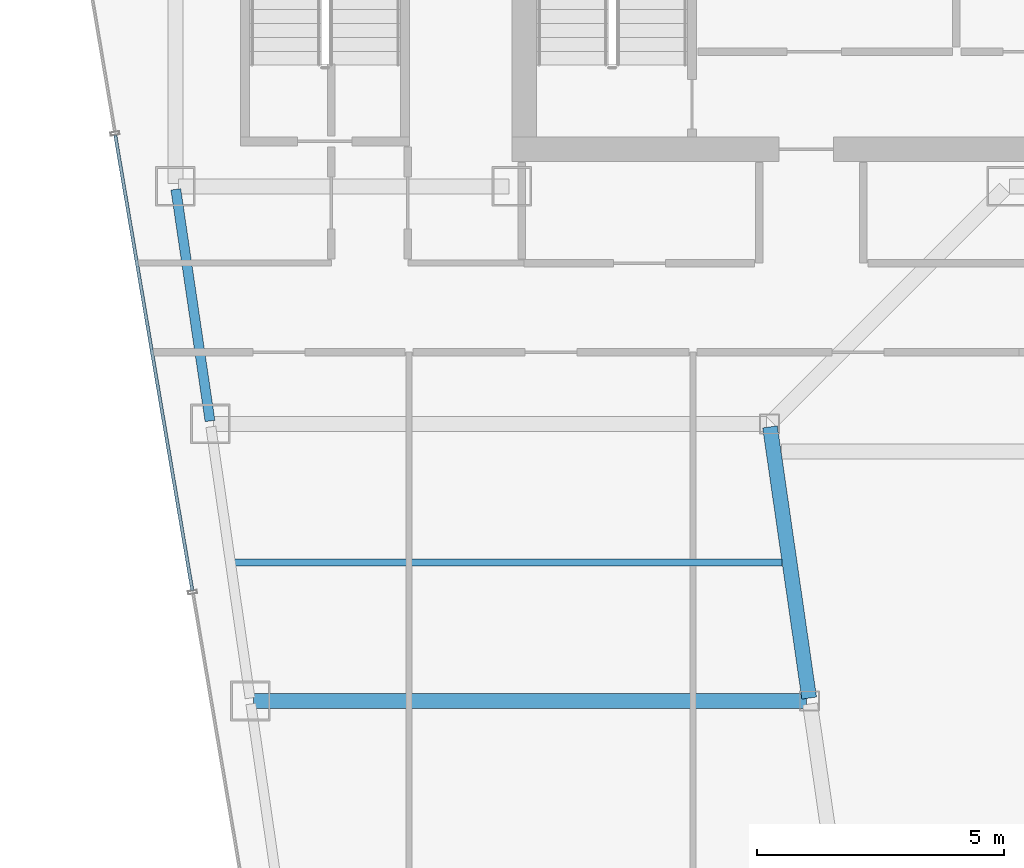
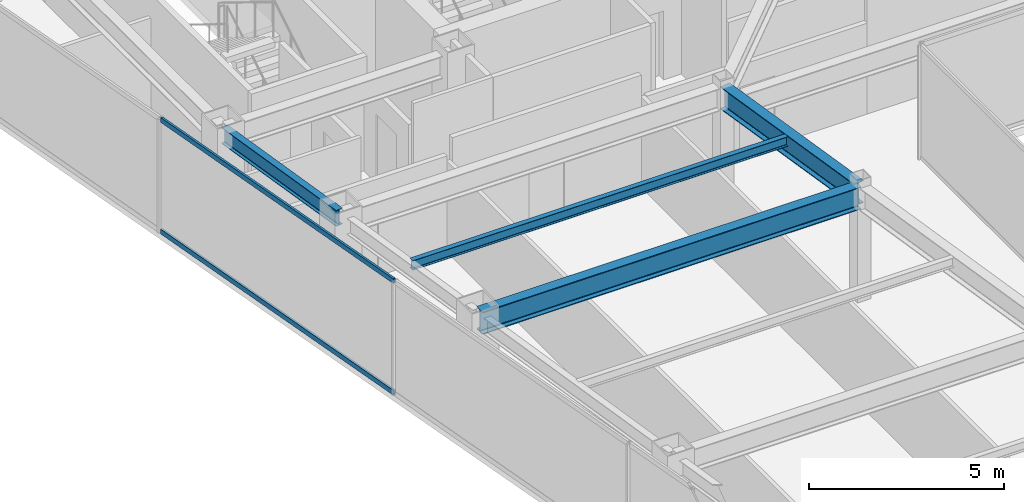
# One storey, part 10 of 36: 4 beams, 2 members, 1 element without a shape of its own.
"""IFC4 building model written with IfcOpenShell, lengths in metres."""

from ifc_helpers import new_model, si_unit, direction, frame, origin, origin_2d, place, context, subcontext, project, spatial, hollow_rectangle, i_section, extrude, material, material_profile, profile_set, type_object, element, aggregate, save


model = new_model("IFC4")

# Units and contexts
model_context = context("Model", 3, precision=1e-05, world=origin(), true_north=direction((0.0, 1.0)))
body_context = subcontext(model_context, "Body", "Model", "MODEL_VIEW")
ifc_project = project(units=[si_unit("LENGTHUNIT", "METRE"), si_unit("AREAUNIT", "SQUARE_METRE"), si_unit("VOLUMEUNIT", "CUBIC_METRE"), si_unit("PLANEANGLEUNIT", "RADIAN"), si_unit("MASSUNIT", "GRAM", prefix="KILO")], contexts=[model_context])

# Site, building, storey
site_placement = place(None, origin())
site = spatial("IfcSite", under=ifc_project, at=site_placement, CompositionType="ELEMENT")
building_placement = place(site_placement, origin())
building = spatial("IfcBuilding", under=site, at=building_placement, Name="Saevonmaru Cultural Tower", CompositionType="ELEMENT")
storey_placement = place(building_placement, frame((0.0, 0.0, 209.39990234375)))
storey = spatial("IfcBuildingStorey", under=building, at=storey_placement, Name="L48", CompositionType="ELEMENT", Elevation=209.39990234375)

# Beams
ifc_material_1 = material(Name="Steel SM355", Category="steel")
ifc_material_profile_1 = material_profile(ifc_material_1, i_section(OverallWidth=0.300048828125, OverallDepth=0.699951171875, WebThickness=0.012939453125, FlangeThickness=0.02392578125, FilletRadius=0.02587890625, at=origin_2d()), Name="H-700x300x13x24")
ifc_profile_set_1 = profile_set([ifc_material_profile_1], Name="Steel SM355")
beam_type_1 = type_object("IfcBeamType", Name="BM-G-H700", PredefinedType="BEAM", material=ifc_profile_set_1)
beam_1_placement = place(storey_placement, frame((19.6083984375, 32.059326171875, 3.2001953125), z_axis=(-0.142964121327, 0.989727871697, 0.0), x_axis=(-0.989727871697, -0.142964121327, 0.0)))
element("IfcBeam", 1, at=beam_1_placement, inside=storey, type_object=beam_type_1, Name="L48 West Atrium Girder 3", PredefinedType="BEAM", context=body_context, shape_type="SweptSolid", body=[
    extrude(i_section(OverallWidth=0.300048828125, OverallDepth=0.699951171875, WebThickness=0.012939453125, FlangeThickness=0.02392578125, FilletRadius=0.02587890625, at=origin_2d()), origin(), (0.0, 0.0, 1.0), 5.5380859375),
])
beam_2_placement = place(storey_placement, frame((8.376953125, 32.0, 3.2001953125), z_axis=(1.0, 0.0, 0.0), x_axis=(0.0, 1.0, 0.0)))
element("IfcBeam", 2, at=beam_2_placement, inside=storey, type_object=beam_type_1, Name="L48 West Wing Transverse Girder 3", PredefinedType="BEAM", context=body_context, shape_type="SweptSolid", body=[
    extrude(i_section(OverallWidth=0.300048828125, OverallDepth=0.699951171875, WebThickness=0.012939453125, FlangeThickness=0.02392578125, FilletRadius=0.02587890625, at=origin_2d()), origin(), (0.0, 0.0, 1.0), 11.179931640625),
])
ifc_material_profile_2 = material_profile(ifc_material_1, i_section(OverallWidth=0.14990234375, OverallDepth=0.300048828125, WebThickness=0.006591796875, FlangeThickness=0.009033203125, FilletRadius=0.012939453125, at=origin_2d()), Name="H-300x150x6.5x9")
ifc_profile_set_2 = profile_set([ifc_material_profile_2], Name="Steel SM355")
beam_type_2 = type_object("IfcBeamType", Name="BM-J-H300", PredefinedType="JOIST", material=ifc_profile_set_2)
beam_3_placement = place(storey_placement, frame((7.972412109375, 34.800048828125, 3.400146484375), z_axis=(1.0, 0.0, 0.0), x_axis=(0.0, 1.0, 0.0)))
element("IfcBeam", 3, at=beam_3_placement, inside=storey, type_object=beam_type_2, Name="L48 West Wing Floor Joist 3", PredefinedType="JOIST", context=body_context, shape_type="SweptSolid", body=[
    extrude(i_section(OverallWidth=0.14990234375, OverallDepth=0.300048828125, WebThickness=0.006591796875, FlangeThickness=0.009033203125, FilletRadius=0.012939453125, at=origin_2d()), origin(), (0.0, 0.0, 1.0), 11.08203125),
])
ifc_material_profile_3 = material_profile(ifc_material_1, i_section(OverallWidth=0.199951171875, OverallDepth=0.5, WebThickness=0.010009765625, FlangeThickness=0.01611328125, FilletRadius=0.02001953125, at=origin_2d()), Name="H-500x200x10x16")
ifc_profile_set_3 = profile_set([ifc_material_profile_3], Name="Steel SM355")
beam_type_3 = type_object("IfcBeamType", Name="BM-SP-H500", PredefinedType="SPANDREL", material=ifc_profile_set_3)
beam_4_placement = place(storey_placement, frame((7.499267578125, 37.659423828125, 3.300048828125), z_axis=(-0.145912860028, 0.989297446312, 0.0), x_axis=(-0.989297446312, -0.145912860028, 0.0)))
element("IfcBeam", 4, at=beam_4_placement, inside=storey, type_object=beam_type_3, Name="L48 West Splayed Spandrel 4", PredefinedType="SPANDREL", context=body_context, shape_type="SweptSolid", body=[
    extrude(i_section(OverallWidth=0.199951171875, OverallDepth=0.5, WebThickness=0.010009765625, FlangeThickness=0.01611328125, FilletRadius=0.02001953125, at=origin_2d()), origin(), (0.0, 0.0, 1.0), 4.731689453125),
])

# Curtain wall, members
ifc_material_2 = material(Name="Satin Bronze Anodised Aluminium", Category="aluminium")
curtain_wall_type = type_object("IfcCurtainWallType", Name="CW-TYP-B", PredefinedType="NOTDEFINED", material=ifc_material_2)
curtain_wall_placement = place(storey_placement, origin())
curtain_wall = element("IfcCurtainWall", 5, at=curtain_wall_placement, inside=storey, type_object=curtain_wall_type, Name="L48 Unitised Curtain Wall E12", PredefinedType="NOTDEFINED")
ifc_material_profile_4 = material_profile(ifc_material_2, hollow_rectangle(XDim=0.06494140625, YDim=0.14990234375, WallThickness=0.00390625, at=origin_2d()), Name="ALU-TRAN-150x65x4")
ifc_profile_set_4 = profile_set([ifc_material_profile_4], Name="Satin Bronze Anodised Aluminium")
member_type = type_object("IfcMemberType", Name="TR-CW-150x65", PredefinedType="USERDEFINED", material=ifc_profile_set_4)
member_1_placement = place(storey_placement, frame((5.5849609375, 43.4384765625, 0.03271484375), z_axis=(0.166916960754, -0.985970957084, 0.0), x_axis=(0.985970957084, 0.166916960754, 0.0)))
member_1 = element("IfcMember", 6, at=member_1_placement, type_object=member_type, Name="CW-TW-L48-E12 transom 2.1", ObjectType="TRANSOM", PredefinedType="USERDEFINED", context=body_context, shape_type="SweptSolid", body=[
    extrude(hollow_rectangle(XDim=0.06494140625, YDim=0.14990234375, WallThickness=0.00390625, at=origin_2d()), origin(), (0.0, 0.0, 1.0), 9.337646484375),
])
member_2_placement = place(storey_placement, frame((5.5849609375, 43.4384765625, 3.517578125), z_axis=(0.166916960754, -0.985970957084, 0.0), x_axis=(0.985970957084, 0.166916960754, 0.0)))
member_2 = element("IfcMember", 7, at=member_2_placement, type_object=member_type, Name="CW-TW-L48-E12 transom 2.2", ObjectType="TRANSOM", PredefinedType="USERDEFINED", context=body_context, shape_type="SweptSolid", body=[
    extrude(hollow_rectangle(XDim=0.06494140625, YDim=0.14990234375, WallThickness=0.00390625, at=origin_2d()), origin(), (0.0, 0.0, 1.0), 9.337646484375),
])
aggregate(curtain_wall, [member_1, member_2])

save(model, "model.ifc")
